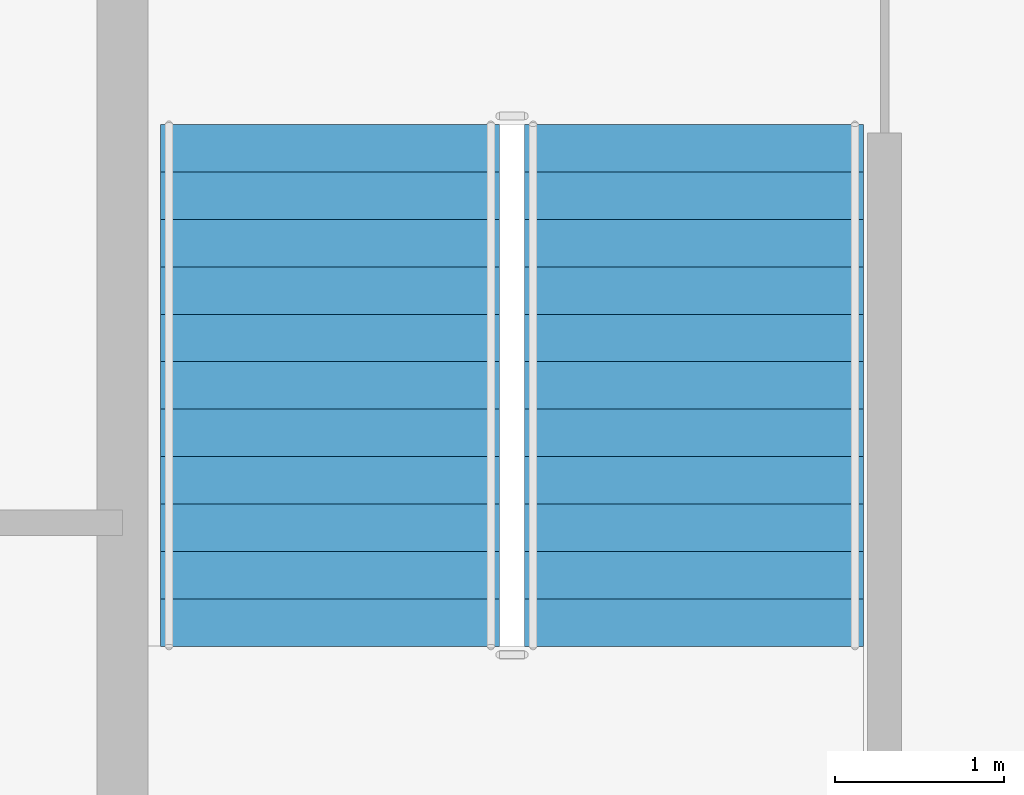
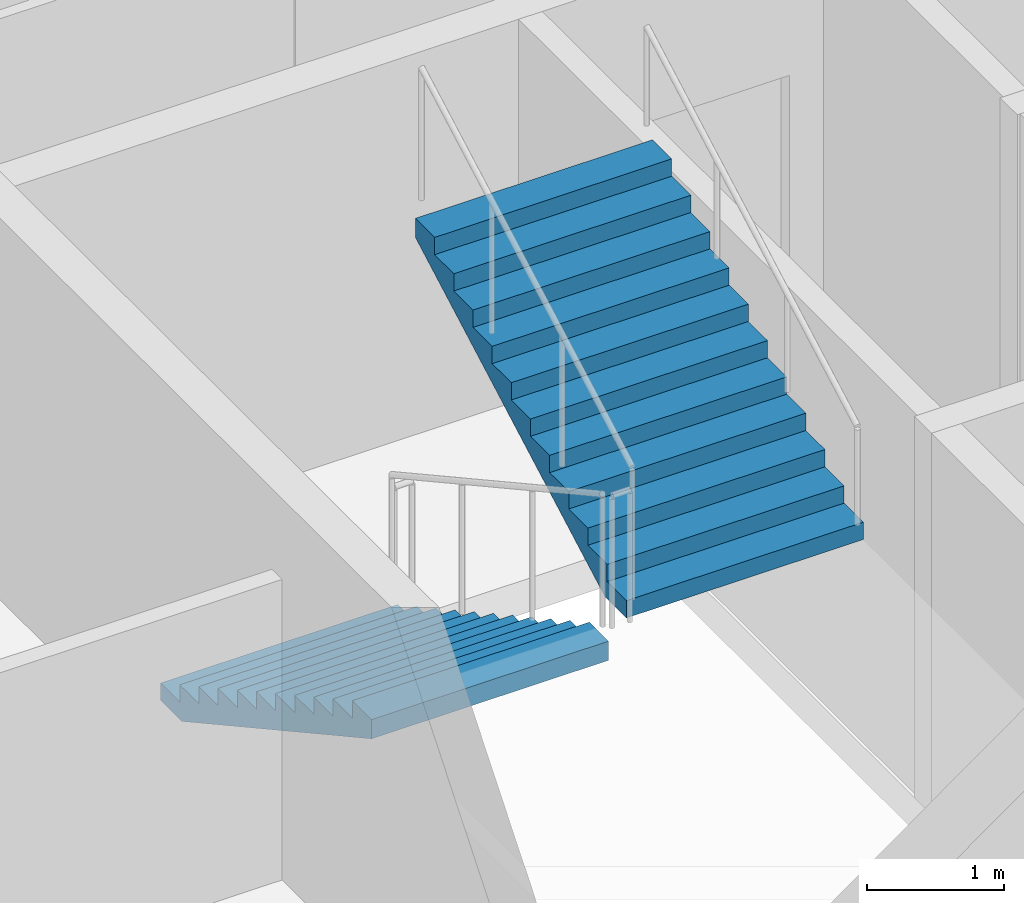
# One storey, part 7 of 15: 2 stair flights, 1 element without a shape of its own.
"""IFC4 building model written with IfcOpenShell, lengths in metres."""

from ifc_helpers import new_model, si_unit, direction, frame, origin, place, context, subcontext, project, spatial, polygons, material, type_object, element, aggregate, save


model = new_model("IFC4")

# Units and contexts
model_context = context("Model", 3, precision=1e-05, world=origin(), true_north=direction((0.0, 1.0)))
body_context = subcontext(model_context, "Body", "Model", "MODEL_VIEW")
ifc_project = project(units=[si_unit("LENGTHUNIT", "METRE"), si_unit("AREAUNIT", "SQUARE_METRE"), si_unit("VOLUMEUNIT", "CUBIC_METRE"), si_unit("PLANEANGLEUNIT", "RADIAN"), si_unit("MASSUNIT", "GRAM", prefix="KILO")], contexts=[model_context])

# Site, building, storey
site_placement = place(None, origin())
site = spatial("IfcSite", under=ifc_project, at=site_placement, CompositionType="ELEMENT")
building_placement = place(site_placement, origin())
building = spatial("IfcBuilding", under=site, at=building_placement, Name="Caravel Reach Hotel and Residences", CompositionType="ELEMENT")
storey_placement = place(building_placement, frame((0.0, 0.0, 237.89990234375)))
storey = spatial("IfcBuildingStorey", under=building, at=storey_placement, Name="L60", CompositionType="ELEMENT", Elevation=237.89990234375)

# Stair, stair flights
ifc_material_1 = material(Name="Concrete C40", Category="concrete")
stair_type = type_object("IfcStairType", Name="Core stair", PredefinedType="HALF_TURN_STAIR", material=ifc_material_1)
stair_placement = place(storey_placement, origin())
stair = element("IfcStair", 1, at=stair_placement, inside=storey, type_object=stair_type, Name="L60 Exit stair A", PredefinedType="HALF_TURN_STAIR")
ifc_material_2 = material(Name="Concrete C40", Category="concrete")
stair_flight_type = type_object("IfcStairFlightType", Name="Core stair flight", PredefinedType="STRAIGHT", material=ifc_material_2)
stair_flight_1_placement = place(storey_placement, frame((19.22509765625, 29.35009765625, 0.0), z_axis=(0.0, 0.0, 1.0), x_axis=(0.0, -1.0, 0.0)))
stair_flight_1 = element("IfcStairFlight", 2, at=stair_flight_1_placement, type_object=stair_flight_type, Name="ST-A flight 1", NumberOfRisers=12, NumberOfTreads=11, PredefinedType="STRAIGHT", RiserHeight=0.154166667, TreadLength=0.28, context=body_context, shape_type="Tessellation", body=[
    polygons([(0.3107950034306102, 1.0, 0.0), (0.3107950034306102, 0.6666666666666667, 0.0), (0.3107950034306102, 0.33333333333333337, 0.0), (0.3107950034306102, 0.0, 0.0), (0.3107950034306102, -0.33333333333333326, 0.0), (0.3107950034306102, -0.6666666666666667, 0.0), (0.3107950034306102, -1.0, 0.0), (3.081, 1.0, 1.524711087717319), (3.081, 0.6666666666666667, 1.524711087717319), (3.081, 0.33333333333333337, 1.524711087717319), (3.081, 0.0, 1.524711087717319), (3.081, -0.33333333333333326, 1.524711087717319), (3.081, -0.6666666666666667, 1.524711087717319), (3.081, -1.0, 1.524711087717319), (3.081, 1.0, 1.695833337), (3.081, 0.6666666666666667, 1.695833337), (3.081, 0.33333333333333337, 1.695833337), (3.081, 0.0, 1.695833337), (3.081, -0.33333333333333326, 1.695833337), (3.081, -0.6666666666666667, 1.695833337), (3.081, -1.0, 1.695833337), (2.8000000000000003, 1.0, 1.695833337), (2.8000000000000003, 0.6666666666666667, 1.695833337), (2.8000000000000003, 0.33333333333333337, 1.695833337), (2.8000000000000003, 0.0, 1.695833337), (2.8000000000000003, -0.33333333333333326, 1.695833337), (2.8000000000000003, -0.6666666666666667, 1.695833337), (2.8000000000000003, -1.0, 1.695833337), (2.8000000000000003, 1.0, 1.5416666700000001), (2.8000000000000003, 0.6666666666666667, 1.5416666700000001), (2.8000000000000003, 0.33333333333333337, 1.5416666700000001), (2.8000000000000003, 0.0, 1.5416666700000001), (2.8000000000000003, -0.33333333333333326, 1.5416666700000001), (2.8000000000000003, -0.6666666666666667, 1.5416666700000001), (2.8000000000000003, -1.0, 1.5416666700000001), (2.5200000000000005, 1.0, 1.5416666700000001), (2.5200000000000005, 0.6666666666666667, 1.5416666700000001), (2.5200000000000005, 0.33333333333333337, 1.5416666700000001), (2.5200000000000005, 0.0, 1.5416666700000001), (2.5200000000000005, -0.33333333333333326, 1.5416666700000001), (2.5200000000000005, -0.6666666666666667, 1.5416666700000001), (2.5200000000000005, -1.0, 1.5416666700000001), (2.5200000000000005, 1.0, 1.387500003), (2.5200000000000005, 0.6666666666666667, 1.387500003), (2.5200000000000005, 0.33333333333333337, 1.387500003), (2.5200000000000005, 0.0, 1.387500003), (2.5200000000000005, -0.33333333333333326, 1.387500003), (2.5200000000000005, -0.6666666666666667, 1.387500003), (2.5200000000000005, -1.0, 1.387500003), (2.24, 1.0, 1.387500003), (2.24, 0.6666666666666667, 1.387500003), (2.24, 0.33333333333333337, 1.387500003), (2.24, 0.0, 1.387500003), (2.24, -0.33333333333333326, 1.387500003), (2.24, -0.6666666666666667, 1.387500003), (2.24, -1.0, 1.387500003), (2.24, 1.0, 1.233333336), (2.24, 0.6666666666666667, 1.233333336), (2.24, 0.33333333333333337, 1.233333336), (2.24, 0.0, 1.233333336), (2.24, -0.33333333333333326, 1.233333336), (2.24, -0.6666666666666667, 1.233333336), (2.24, -1.0, 1.233333336), (1.9600000000000002, 1.0, 1.233333336), (1.9600000000000002, 0.6666666666666667, 1.233333336), (1.9600000000000002, 0.33333333333333337, 1.233333336), (1.9600000000000002, 0.0, 1.233333336), (1.9600000000000002, -0.33333333333333326, 1.233333336), (1.9600000000000002, -0.6666666666666667, 1.233333336), (1.9600000000000002, -1.0, 1.233333336), (1.9600000000000002, 1.0, 1.0791666690000001), (1.9600000000000002, 0.6666666666666667, 1.0791666690000001), (1.9600000000000002, 0.33333333333333337, 1.0791666690000001), (1.9600000000000002, 0.0, 1.0791666690000001), (1.9600000000000002, -0.33333333333333326, 1.0791666690000001), (1.9600000000000002, -0.6666666666666667, 1.0791666690000001), (1.9600000000000002, -1.0, 1.0791666690000001), (1.6800000000000002, 1.0, 1.0791666690000001), (1.6800000000000002, 0.6666666666666667, 1.0791666690000001), (1.6800000000000002, 0.33333333333333337, 1.0791666690000001), (1.6800000000000002, 0.0, 1.0791666690000001), (1.6800000000000002, -0.33333333333333326, 1.0791666690000001), (1.6800000000000002, -0.6666666666666667, 1.0791666690000001), (1.6800000000000002, -1.0, 1.0791666690000001), (1.6800000000000002, 1.0, 0.925000002), (1.6800000000000002, 0.6666666666666667, 0.925000002), (1.6800000000000002, 0.33333333333333337, 0.925000002), (1.6800000000000002, 0.0, 0.925000002), (1.6800000000000002, -0.33333333333333326, 0.925000002), (1.6800000000000002, -0.6666666666666667, 0.925000002), (1.6800000000000002, -1.0, 0.925000002), (1.4000000000000001, 1.0, 0.925000002), (1.4000000000000001, 0.6666666666666667, 0.925000002), (1.4000000000000001, 0.33333333333333337, 0.925000002), (1.4000000000000001, 0.0, 0.925000002), (1.4000000000000001, -0.33333333333333326, 0.925000002), (1.4000000000000001, -0.6666666666666667, 0.925000002), (1.4000000000000001, -1.0, 0.925000002), (1.4000000000000001, 1.0, 0.7708333350000001), (1.4000000000000001, 0.6666666666666667, 0.7708333350000001), (1.4000000000000001, 0.33333333333333337, 0.7708333350000001), (1.4000000000000001, 0.0, 0.7708333350000001), (1.4000000000000001, -0.33333333333333326, 0.7708333350000001), (1.4000000000000001, -0.6666666666666667, 0.7708333350000001), (1.4000000000000001, -1.0, 0.7708333350000001), (1.12, 1.0, 0.7708333350000001), (1.12, 0.6666666666666667, 0.7708333350000001), (1.12, 0.33333333333333337, 0.7708333350000001), (1.12, 0.0, 0.7708333350000001), (1.12, -0.33333333333333326, 0.7708333350000001), (1.12, -0.6666666666666667, 0.7708333350000001), (1.12, -1.0, 0.7708333350000001), (1.12, 1.0, 0.616666668), (1.12, 0.6666666666666667, 0.616666668), (1.12, 0.33333333333333337, 0.616666668), (1.12, 0.0, 0.616666668), (1.12, -0.33333333333333326, 0.616666668), (1.12, -0.6666666666666667, 0.616666668), (1.12, -1.0, 0.616666668), (0.8400000000000001, 1.0, 0.616666668), (0.8400000000000001, 0.6666666666666667, 0.616666668), (0.8400000000000001, 0.33333333333333337, 0.616666668), (0.8400000000000001, 0.0, 0.616666668), (0.8400000000000001, -0.33333333333333326, 0.616666668), (0.8400000000000001, -0.6666666666666667, 0.616666668), (0.8400000000000001, -1.0, 0.616666668), (0.8400000000000001, 1.0, 0.462500001), (0.8400000000000001, 0.6666666666666667, 0.462500001), (0.8400000000000001, 0.33333333333333337, 0.462500001), (0.8400000000000001, 0.0, 0.462500001), (0.8400000000000001, -0.33333333333333326, 0.462500001), (0.8400000000000001, -0.6666666666666667, 0.462500001), (0.8400000000000001, -1.0, 0.462500001), (0.56, 1.0, 0.462500001), (0.56, 0.6666666666666667, 0.462500001), (0.56, 0.33333333333333337, 0.462500001), (0.56, 0.0, 0.462500001), (0.56, -0.33333333333333326, 0.462500001), (0.56, -0.6666666666666667, 0.462500001), (0.56, -1.0, 0.462500001), (0.56, 1.0, 0.308333334), (0.56, 0.6666666666666667, 0.308333334), (0.56, 0.33333333333333337, 0.308333334), (0.56, 0.0, 0.308333334), (0.56, -0.33333333333333326, 0.308333334), (0.56, -0.6666666666666667, 0.308333334), (0.56, -1.0, 0.308333334), (0.28, 1.0, 0.308333334), (0.28, 0.6666666666666667, 0.308333334), (0.28, 0.33333333333333337, 0.308333334), (0.28, 0.0, 0.308333334), (0.28, -0.33333333333333326, 0.308333334), (0.28, -0.6666666666666667, 0.308333334), (0.28, -1.0, 0.308333334), (0.28, 1.0, 0.154166667), (0.28, 0.6666666666666667, 0.154166667), (0.28, 0.33333333333333337, 0.154166667), (0.28, 0.0, 0.154166667), (0.28, -0.33333333333333326, 0.154166667), (0.28, -0.6666666666666667, 0.154166667), (0.28, -1.0, 0.154166667), (-0.001, 1.0, 0.154166667), (-0.001, 0.6666666666666667, 0.154166667), (-0.001, 0.33333333333333337, 0.154166667), (-0.001, 0.0, 0.154166667), (-0.001, -0.33333333333333326, 0.154166667), (-0.001, -0.6666666666666667, 0.154166667), (-0.001, -1.0, 0.154166667), (-0.001, 1.0, 0.0), (-0.001, 0.6666666666666667, 0.0), (-0.001, 0.33333333333333337, 0.0), (-0.001, 0.0, 0.0), (-0.001, -0.33333333333333326, 0.0), (-0.001, -0.6666666666666667, 0.0), (-0.001, -1.0, 0.0)], [[[169, 162, 155, 148, 141, 134, 127, 120, 113, 106, 99, 92, 85, 78, 71, 64, 57, 50, 43, 36, 29, 22, 15, 8, 1]], [[7, 14, 21, 28, 35, 42, 49, 56, 63, 70, 77, 84, 91, 98, 105, 112, 119, 126, 133, 140, 147, 154, 161, 168, 175]], [[1, 8, 9, 2]], [[2, 9, 10, 3]], [[3, 10, 11, 4]], [[4, 11, 12, 5]], [[5, 12, 13, 6]], [[6, 13, 14, 7]], [[8, 15, 16, 9]], [[9, 16, 17, 10]], [[10, 17, 18, 11]], [[11, 18, 19, 12]], [[12, 19, 20, 13]], [[13, 20, 21, 14]], [[15, 22, 23, 16]], [[16, 23, 24, 17]], [[17, 24, 25, 18]], [[18, 25, 26, 19]], [[19, 26, 27, 20]], [[20, 27, 28, 21]], [[22, 29, 30, 23]], [[23, 30, 31, 24]], [[24, 31, 32, 25]], [[25, 32, 33, 26]], [[26, 33, 34, 27]], [[27, 34, 35, 28]], [[29, 36, 37, 30]], [[30, 37, 38, 31]], [[31, 38, 39, 32]], [[32, 39, 40, 33]], [[33, 40, 41, 34]], [[34, 41, 42, 35]], [[36, 43, 44, 37]], [[37, 44, 45, 38]], [[38, 45, 46, 39]], [[39, 46, 47, 40]], [[40, 47, 48, 41]], [[41, 48, 49, 42]], [[43, 50, 51, 44]], [[44, 51, 52, 45]], [[45, 52, 53, 46]], [[46, 53, 54, 47]], [[47, 54, 55, 48]], [[48, 55, 56, 49]], [[50, 57, 58, 51]], [[51, 58, 59, 52]], [[52, 59, 60, 53]], [[53, 60, 61, 54]], [[54, 61, 62, 55]], [[55, 62, 63, 56]], [[57, 64, 65, 58]], [[58, 65, 66, 59]], [[59, 66, 67, 60]], [[60, 67, 68, 61]], [[61, 68, 69, 62]], [[62, 69, 70, 63]], [[64, 71, 72, 65]], [[65, 72, 73, 66]], [[66, 73, 74, 67]], [[67, 74, 75, 68]], [[68, 75, 76, 69]], [[69, 76, 77, 70]], [[71, 78, 79, 72]], [[72, 79, 80, 73]], [[73, 80, 81, 74]], [[74, 81, 82, 75]], [[75, 82, 83, 76]], [[76, 83, 84, 77]], [[78, 85, 86, 79]], [[79, 86, 87, 80]], [[80, 87, 88, 81]], [[81, 88, 89, 82]], [[82, 89, 90, 83]], [[83, 90, 91, 84]], [[85, 92, 93, 86]], [[86, 93, 94, 87]], [[87, 94, 95, 88]], [[88, 95, 96, 89]], [[89, 96, 97, 90]], [[90, 97, 98, 91]], [[92, 99, 100, 93]], [[93, 100, 101, 94]], [[94, 101, 102, 95]], [[95, 102, 103, 96]], [[96, 103, 104, 97]], [[97, 104, 105, 98]], [[99, 106, 107, 100]], [[100, 107, 108, 101]], [[101, 108, 109, 102]], [[102, 109, 110, 103]], [[103, 110, 111, 104]], [[104, 111, 112, 105]], [[106, 113, 114, 107]], [[107, 114, 115, 108]], [[108, 115, 116, 109]], [[109, 116, 117, 110]], [[110, 117, 118, 111]], [[111, 118, 119, 112]], [[113, 120, 121, 114]], [[114, 121, 122, 115]], [[115, 122, 123, 116]], [[116, 123, 124, 117]], [[117, 124, 125, 118]], [[118, 125, 126, 119]], [[120, 127, 128, 121]], [[121, 128, 129, 122]], [[122, 129, 130, 123]], [[123, 130, 131, 124]], [[124, 131, 132, 125]], [[125, 132, 133, 126]], [[127, 134, 135, 128]], [[128, 135, 136, 129]], [[129, 136, 137, 130]], [[130, 137, 138, 131]], [[131, 138, 139, 132]], [[132, 139, 140, 133]], [[134, 141, 142, 135]], [[135, 142, 143, 136]], [[136, 143, 144, 137]], [[137, 144, 145, 138]], [[138, 145, 146, 139]], [[139, 146, 147, 140]], [[141, 148, 149, 142]], [[142, 149, 150, 143]], [[143, 150, 151, 144]], [[144, 151, 152, 145]], [[145, 152, 153, 146]], [[146, 153, 154, 147]], [[148, 155, 156, 149]], [[149, 156, 157, 150]], [[150, 157, 158, 151]], [[151, 158, 159, 152]], [[152, 159, 160, 153]], [[153, 160, 161, 154]], [[155, 162, 163, 156]], [[156, 163, 164, 157]], [[157, 164, 165, 158]], [[158, 165, 166, 159]], [[159, 166, 167, 160]], [[160, 167, 168, 161]], [[162, 169, 170, 163]], [[163, 170, 171, 164]], [[164, 171, 172, 165]], [[165, 172, 173, 166]], [[166, 173, 174, 167]], [[167, 174, 175, 168]], [[169, 1, 2, 170]], [[170, 2, 3, 171]], [[171, 3, 4, 172]], [[172, 4, 5, 173]], [[173, 5, 6, 174]], [[174, 6, 7, 175]]], closed=True),
])
stair_flight_2_placement = place(storey_placement, frame((21.375, 26.27001953125, 1.85009765625), z_axis=(0.0, 0.0, 1.0), x_axis=(0.0, 1.0, 0.0)))
stair_flight_2 = element("IfcStairFlight", 3, at=stair_flight_2_placement, type_object=stair_flight_type, Name="ST-A flight 2", NumberOfRisers=12, NumberOfTreads=11, PredefinedType="STRAIGHT", RiserHeight=0.154166667, TreadLength=0.28, context=body_context, shape_type="Tessellation", body=[
    polygons([(0.3107950034306102, 1.0, 0.0), (0.3107950034306102, 0.6666666666666667, 0.0), (0.3107950034306102, 0.33333333333333337, 0.0), (0.3107950034306102, 0.0, 0.0), (0.3107950034306102, -0.33333333333333326, 0.0), (0.3107950034306102, -0.6666666666666667, 0.0), (0.3107950034306102, -1.0, 0.0), (3.081, 1.0, 1.524711087717319), (3.081, 0.6666666666666667, 1.524711087717319), (3.081, 0.33333333333333337, 1.524711087717319), (3.081, 0.0, 1.524711087717319), (3.081, -0.33333333333333326, 1.524711087717319), (3.081, -0.6666666666666667, 1.524711087717319), (3.081, -1.0, 1.524711087717319), (3.081, 1.0, 1.695833337), (3.081, 0.6666666666666667, 1.695833337), (3.081, 0.33333333333333337, 1.695833337), (3.081, 0.0, 1.695833337), (3.081, -0.33333333333333326, 1.695833337), (3.081, -0.6666666666666667, 1.695833337), (3.081, -1.0, 1.695833337), (2.8000000000000003, 1.0, 1.695833337), (2.8000000000000003, 0.6666666666666667, 1.695833337), (2.8000000000000003, 0.33333333333333337, 1.695833337), (2.8000000000000003, 0.0, 1.695833337), (2.8000000000000003, -0.33333333333333326, 1.695833337), (2.8000000000000003, -0.6666666666666667, 1.695833337), (2.8000000000000003, -1.0, 1.695833337), (2.8000000000000003, 1.0, 1.5416666700000001), (2.8000000000000003, 0.6666666666666667, 1.5416666700000001), (2.8000000000000003, 0.33333333333333337, 1.5416666700000001), (2.8000000000000003, 0.0, 1.5416666700000001), (2.8000000000000003, -0.33333333333333326, 1.5416666700000001), (2.8000000000000003, -0.6666666666666667, 1.5416666700000001), (2.8000000000000003, -1.0, 1.5416666700000001), (2.5200000000000005, 1.0, 1.5416666700000001), (2.5200000000000005, 0.6666666666666667, 1.5416666700000001), (2.5200000000000005, 0.33333333333333337, 1.5416666700000001), (2.5200000000000005, 0.0, 1.5416666700000001), (2.5200000000000005, -0.33333333333333326, 1.5416666700000001), (2.5200000000000005, -0.6666666666666667, 1.5416666700000001), (2.5200000000000005, -1.0, 1.5416666700000001), (2.5200000000000005, 1.0, 1.387500003), (2.5200000000000005, 0.6666666666666667, 1.387500003), (2.5200000000000005, 0.33333333333333337, 1.387500003), (2.5200000000000005, 0.0, 1.387500003), (2.5200000000000005, -0.33333333333333326, 1.387500003), (2.5200000000000005, -0.6666666666666667, 1.387500003), (2.5200000000000005, -1.0, 1.387500003), (2.24, 1.0, 1.387500003), (2.24, 0.6666666666666667, 1.387500003), (2.24, 0.33333333333333337, 1.387500003), (2.24, 0.0, 1.387500003), (2.24, -0.33333333333333326, 1.387500003), (2.24, -0.6666666666666667, 1.387500003), (2.24, -1.0, 1.387500003), (2.24, 1.0, 1.233333336), (2.24, 0.6666666666666667, 1.233333336), (2.24, 0.33333333333333337, 1.233333336), (2.24, 0.0, 1.233333336), (2.24, -0.33333333333333326, 1.233333336), (2.24, -0.6666666666666667, 1.233333336), (2.24, -1.0, 1.233333336), (1.9600000000000002, 1.0, 1.233333336), (1.9600000000000002, 0.6666666666666667, 1.233333336), (1.9600000000000002, 0.33333333333333337, 1.233333336), (1.9600000000000002, 0.0, 1.233333336), (1.9600000000000002, -0.33333333333333326, 1.233333336), (1.9600000000000002, -0.6666666666666667, 1.233333336), (1.9600000000000002, -1.0, 1.233333336), (1.9600000000000002, 1.0, 1.0791666690000001), (1.9600000000000002, 0.6666666666666667, 1.0791666690000001), (1.9600000000000002, 0.33333333333333337, 1.0791666690000001), (1.9600000000000002, 0.0, 1.0791666690000001), (1.9600000000000002, -0.33333333333333326, 1.0791666690000001), (1.9600000000000002, -0.6666666666666667, 1.0791666690000001), (1.9600000000000002, -1.0, 1.0791666690000001), (1.6800000000000002, 1.0, 1.0791666690000001), (1.6800000000000002, 0.6666666666666667, 1.0791666690000001), (1.6800000000000002, 0.33333333333333337, 1.0791666690000001), (1.6800000000000002, 0.0, 1.0791666690000001), (1.6800000000000002, -0.33333333333333326, 1.0791666690000001), (1.6800000000000002, -0.6666666666666667, 1.0791666690000001), (1.6800000000000002, -1.0, 1.0791666690000001), (1.6800000000000002, 1.0, 0.925000002), (1.6800000000000002, 0.6666666666666667, 0.925000002), (1.6800000000000002, 0.33333333333333337, 0.925000002), (1.6800000000000002, 0.0, 0.925000002), (1.6800000000000002, -0.33333333333333326, 0.925000002), (1.6800000000000002, -0.6666666666666667, 0.925000002), (1.6800000000000002, -1.0, 0.925000002), (1.4000000000000001, 1.0, 0.925000002), (1.4000000000000001, 0.6666666666666667, 0.925000002), (1.4000000000000001, 0.33333333333333337, 0.925000002), (1.4000000000000001, 0.0, 0.925000002), (1.4000000000000001, -0.33333333333333326, 0.925000002), (1.4000000000000001, -0.6666666666666667, 0.925000002), (1.4000000000000001, -1.0, 0.925000002), (1.4000000000000001, 1.0, 0.7708333350000001), (1.4000000000000001, 0.6666666666666667, 0.7708333350000001), (1.4000000000000001, 0.33333333333333337, 0.7708333350000001), (1.4000000000000001, 0.0, 0.7708333350000001), (1.4000000000000001, -0.33333333333333326, 0.7708333350000001), (1.4000000000000001, -0.6666666666666667, 0.7708333350000001), (1.4000000000000001, -1.0, 0.7708333350000001), (1.12, 1.0, 0.7708333350000001), (1.12, 0.6666666666666667, 0.7708333350000001), (1.12, 0.33333333333333337, 0.7708333350000001), (1.12, 0.0, 0.7708333350000001), (1.12, -0.33333333333333326, 0.7708333350000001), (1.12, -0.6666666666666667, 0.7708333350000001), (1.12, -1.0, 0.7708333350000001), (1.12, 1.0, 0.616666668), (1.12, 0.6666666666666667, 0.616666668), (1.12, 0.33333333333333337, 0.616666668), (1.12, 0.0, 0.616666668), (1.12, -0.33333333333333326, 0.616666668), (1.12, -0.6666666666666667, 0.616666668), (1.12, -1.0, 0.616666668), (0.8400000000000001, 1.0, 0.616666668), (0.8400000000000001, 0.6666666666666667, 0.616666668), (0.8400000000000001, 0.33333333333333337, 0.616666668), (0.8400000000000001, 0.0, 0.616666668), (0.8400000000000001, -0.33333333333333326, 0.616666668), (0.8400000000000001, -0.6666666666666667, 0.616666668), (0.8400000000000001, -1.0, 0.616666668), (0.8400000000000001, 1.0, 0.462500001), (0.8400000000000001, 0.6666666666666667, 0.462500001), (0.8400000000000001, 0.33333333333333337, 0.462500001), (0.8400000000000001, 0.0, 0.462500001), (0.8400000000000001, -0.33333333333333326, 0.462500001), (0.8400000000000001, -0.6666666666666667, 0.462500001), (0.8400000000000001, -1.0, 0.462500001), (0.56, 1.0, 0.462500001), (0.56, 0.6666666666666667, 0.462500001), (0.56, 0.33333333333333337, 0.462500001), (0.56, 0.0, 0.462500001), (0.56, -0.33333333333333326, 0.462500001), (0.56, -0.6666666666666667, 0.462500001), (0.56, -1.0, 0.462500001), (0.56, 1.0, 0.308333334), (0.56, 0.6666666666666667, 0.308333334), (0.56, 0.33333333333333337, 0.308333334), (0.56, 0.0, 0.308333334), (0.56, -0.33333333333333326, 0.308333334), (0.56, -0.6666666666666667, 0.308333334), (0.56, -1.0, 0.308333334), (0.28, 1.0, 0.308333334), (0.28, 0.6666666666666667, 0.308333334), (0.28, 0.33333333333333337, 0.308333334), (0.28, 0.0, 0.308333334), (0.28, -0.33333333333333326, 0.308333334), (0.28, -0.6666666666666667, 0.308333334), (0.28, -1.0, 0.308333334), (0.28, 1.0, 0.154166667), (0.28, 0.6666666666666667, 0.154166667), (0.28, 0.33333333333333337, 0.154166667), (0.28, 0.0, 0.154166667), (0.28, -0.33333333333333326, 0.154166667), (0.28, -0.6666666666666667, 0.154166667), (0.28, -1.0, 0.154166667), (-0.001, 1.0, 0.154166667), (-0.001, 0.6666666666666667, 0.154166667), (-0.001, 0.33333333333333337, 0.154166667), (-0.001, 0.0, 0.154166667), (-0.001, -0.33333333333333326, 0.154166667), (-0.001, -0.6666666666666667, 0.154166667), (-0.001, -1.0, 0.154166667), (-0.001, 1.0, 0.0), (-0.001, 0.6666666666666667, 0.0), (-0.001, 0.33333333333333337, 0.0), (-0.001, 0.0, 0.0), (-0.001, -0.33333333333333326, 0.0), (-0.001, -0.6666666666666667, 0.0), (-0.001, -1.0, 0.0)], [[[169, 162, 155, 148, 141, 134, 127, 120, 113, 106, 99, 92, 85, 78, 71, 64, 57, 50, 43, 36, 29, 22, 15, 8, 1]], [[7, 14, 21, 28, 35, 42, 49, 56, 63, 70, 77, 84, 91, 98, 105, 112, 119, 126, 133, 140, 147, 154, 161, 168, 175]], [[1, 8, 9, 2]], [[2, 9, 10, 3]], [[3, 10, 11, 4]], [[4, 11, 12, 5]], [[5, 12, 13, 6]], [[6, 13, 14, 7]], [[8, 15, 16, 9]], [[9, 16, 17, 10]], [[10, 17, 18, 11]], [[11, 18, 19, 12]], [[12, 19, 20, 13]], [[13, 20, 21, 14]], [[15, 22, 23, 16]], [[16, 23, 24, 17]], [[17, 24, 25, 18]], [[18, 25, 26, 19]], [[19, 26, 27, 20]], [[20, 27, 28, 21]], [[22, 29, 30, 23]], [[23, 30, 31, 24]], [[24, 31, 32, 25]], [[25, 32, 33, 26]], [[26, 33, 34, 27]], [[27, 34, 35, 28]], [[29, 36, 37, 30]], [[30, 37, 38, 31]], [[31, 38, 39, 32]], [[32, 39, 40, 33]], [[33, 40, 41, 34]], [[34, 41, 42, 35]], [[36, 43, 44, 37]], [[37, 44, 45, 38]], [[38, 45, 46, 39]], [[39, 46, 47, 40]], [[40, 47, 48, 41]], [[41, 48, 49, 42]], [[43, 50, 51, 44]], [[44, 51, 52, 45]], [[45, 52, 53, 46]], [[46, 53, 54, 47]], [[47, 54, 55, 48]], [[48, 55, 56, 49]], [[50, 57, 58, 51]], [[51, 58, 59, 52]], [[52, 59, 60, 53]], [[53, 60, 61, 54]], [[54, 61, 62, 55]], [[55, 62, 63, 56]], [[57, 64, 65, 58]], [[58, 65, 66, 59]], [[59, 66, 67, 60]], [[60, 67, 68, 61]], [[61, 68, 69, 62]], [[62, 69, 70, 63]], [[64, 71, 72, 65]], [[65, 72, 73, 66]], [[66, 73, 74, 67]], [[67, 74, 75, 68]], [[68, 75, 76, 69]], [[69, 76, 77, 70]], [[71, 78, 79, 72]], [[72, 79, 80, 73]], [[73, 80, 81, 74]], [[74, 81, 82, 75]], [[75, 82, 83, 76]], [[76, 83, 84, 77]], [[78, 85, 86, 79]], [[79, 86, 87, 80]], [[80, 87, 88, 81]], [[81, 88, 89, 82]], [[82, 89, 90, 83]], [[83, 90, 91, 84]], [[85, 92, 93, 86]], [[86, 93, 94, 87]], [[87, 94, 95, 88]], [[88, 95, 96, 89]], [[89, 96, 97, 90]], [[90, 97, 98, 91]], [[92, 99, 100, 93]], [[93, 100, 101, 94]], [[94, 101, 102, 95]], [[95, 102, 103, 96]], [[96, 103, 104, 97]], [[97, 104, 105, 98]], [[99, 106, 107, 100]], [[100, 107, 108, 101]], [[101, 108, 109, 102]], [[102, 109, 110, 103]], [[103, 110, 111, 104]], [[104, 111, 112, 105]], [[106, 113, 114, 107]], [[107, 114, 115, 108]], [[108, 115, 116, 109]], [[109, 116, 117, 110]], [[110, 117, 118, 111]], [[111, 118, 119, 112]], [[113, 120, 121, 114]], [[114, 121, 122, 115]], [[115, 122, 123, 116]], [[116, 123, 124, 117]], [[117, 124, 125, 118]], [[118, 125, 126, 119]], [[120, 127, 128, 121]], [[121, 128, 129, 122]], [[122, 129, 130, 123]], [[123, 130, 131, 124]], [[124, 131, 132, 125]], [[125, 132, 133, 126]], [[127, 134, 135, 128]], [[128, 135, 136, 129]], [[129, 136, 137, 130]], [[130, 137, 138, 131]], [[131, 138, 139, 132]], [[132, 139, 140, 133]], [[134, 141, 142, 135]], [[135, 142, 143, 136]], [[136, 143, 144, 137]], [[137, 144, 145, 138]], [[138, 145, 146, 139]], [[139, 146, 147, 140]], [[141, 148, 149, 142]], [[142, 149, 150, 143]], [[143, 150, 151, 144]], [[144, 151, 152, 145]], [[145, 152, 153, 146]], [[146, 153, 154, 147]], [[148, 155, 156, 149]], [[149, 156, 157, 150]], [[150, 157, 158, 151]], [[151, 158, 159, 152]], [[152, 159, 160, 153]], [[153, 160, 161, 154]], [[155, 162, 163, 156]], [[156, 163, 164, 157]], [[157, 164, 165, 158]], [[158, 165, 166, 159]], [[159, 166, 167, 160]], [[160, 167, 168, 161]], [[162, 169, 170, 163]], [[163, 170, 171, 164]], [[164, 171, 172, 165]], [[165, 172, 173, 166]], [[166, 173, 174, 167]], [[167, 174, 175, 168]], [[169, 1, 2, 170]], [[170, 2, 3, 171]], [[171, 3, 4, 172]], [[172, 4, 5, 173]], [[173, 5, 6, 174]], [[174, 6, 7, 175]]], closed=True),
])
aggregate(stair, [stair_flight_1, stair_flight_2])

save(model, "model.ifc")
